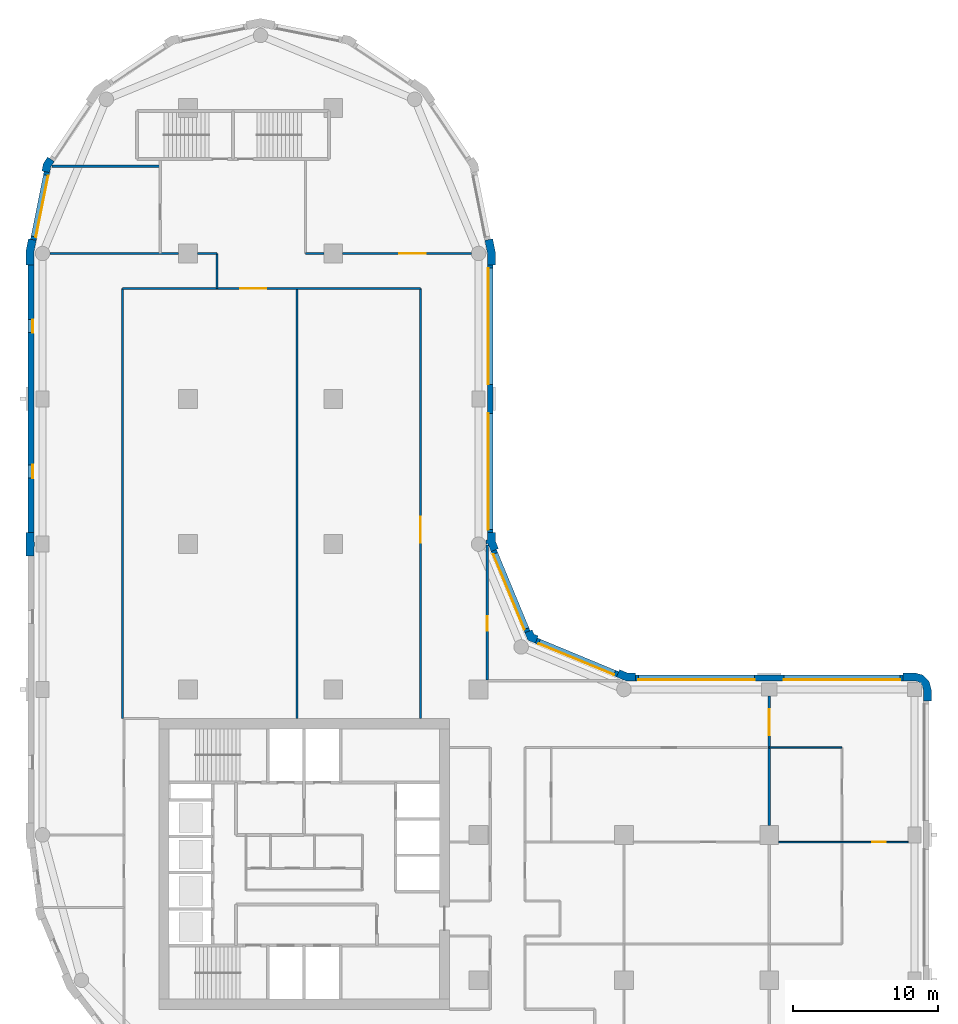
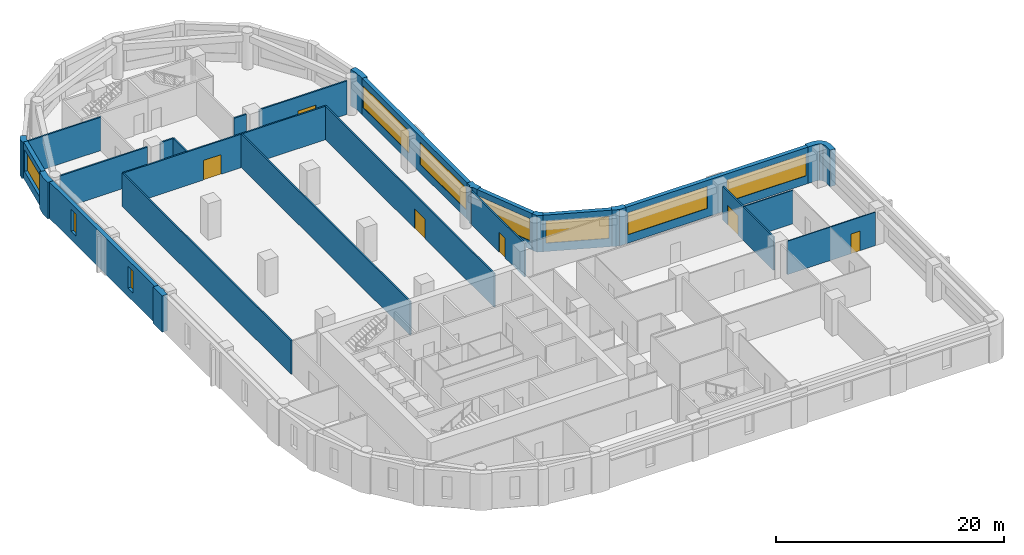
# One storey, part 5 of 9: 28 walls, 9 windows, 6 doors, 15 openings.
"""IFC4 building model written with IfcOpenShell, lengths in metres."""

from ifc_helpers import new_model, si_unit, direction, frame, frame_2d, origin, place, context, subcontext, project, spatial, polyline, rectangle, outline, extrude, material, layer, layer_set, type_object, element, fill, save


model = new_model("IFC4")

# Units and contexts
model_context = context("Model", 3, precision=1e-05, world=origin(), true_north=direction((0.0, 1.0)))
body_context = subcontext(model_context, "Body", "Model", "MODEL_VIEW")
ifc_project = project(units=[si_unit("LENGTHUNIT", "METRE"), si_unit("AREAUNIT", "SQUARE_METRE"), si_unit("VOLUMEUNIT", "CUBIC_METRE"), si_unit("PLANEANGLEUNIT", "RADIAN"), si_unit("MASSUNIT", "GRAM", prefix="KILO")], contexts=[model_context])

# Site, building, storey
site_placement = place(None, origin())
site = spatial("IfcSite", under=ifc_project, at=site_placement, CompositionType="ELEMENT")
building_placement = place(site_placement, origin())
building = spatial("IfcBuilding", under=site, at=building_placement, Name="Qaws Garden Tower", CompositionType="ELEMENT")
storey_placement = place(building_placement, frame((0.0, 0.0, 229.199951171875)))
storey = spatial("IfcBuildingStorey", under=building, at=storey_placement, Name="L56", CompositionType="ELEMENT", Elevation=229.199951171875)

# Wall
ifc_material_1 = material(Name="Clay facing brick masonry", Category="masonry")
ifc_layer_1 = layer(ifc_material_1, 0.550048828125)
ifc_layer_set_1 = layer_set([ifc_layer_1], Name="Clay facing brick masonry")
wall_type_1 = type_object("IfcWallType", Name="Brick corner pier 550 x 2400", PredefinedType="SOLIDWALL", material=ifc_layer_set_1)
placement = place(storey_placement, origin())
element("IfcWall", 1, at=placement, inside=storey, type_object=wall_type_1, Name="E-L56-pier-07", PredefinedType="SOLIDWALL", context=body_context, shape_type="SweptSolid", body=[
    extrude(outline(polyline([(61.0, 29.199951171875), (61.14990234375, 29.199951171875), (61.14990234375, 30.0), (60.995849609375, 30.574951171875), (60.574951171875, 30.995849609375), (60.0, 31.14990234375), (59.199951171875, 31.14990234375), (59.199951171875, 31.0), (59.199951171875, 30.60009765625), (60.0, 30.60009765625), (60.300048828125, 30.51953125), (60.51953125, 30.300048828125), (60.60009765625, 30.0), (60.60009765625, 29.199951171875), (61.0, 29.199951171875)])), origin(), (0.0, 0.0, 1.0), 3.900146484375),
])

# Wall, openings, windows
ifc_material_2 = material(Name="Clay facing brick masonry", Category="masonry")
ifc_layer_2 = layer(ifc_material_2, 0.39990234375)
ifc_layer_set_2 = layer_set([ifc_layer_2], Name="Clay facing brick masonry")
wall_type_2 = type_object("IfcWallType", Name="Brick infill wall 400", PredefinedType="SOLIDWALL", material=ifc_layer_set_2)
wall_2_placement = place(storey_placement, frame((59.199951171875, 30.800048828125, 0.0), z_axis=(0.0, 0.0, 1.0), x_axis=(-1.0, 0.0, 0.0)))
wall_2 = element("IfcWall", 2, at=wall_2_placement, inside=storey, type_object=wall_type_2, Name="E-L56-infill-07", PredefinedType="SOLIDWALL", context=body_context, shape_type="SweptSolid", body=[
    extrude(rectangle(XDim=18.39990234375, YDim=0.39990234375, at=frame_2d((9.199951171875, 0.0))), origin(), (0.0, 0.0, 1.0), 3.900146484375),
])
opening_1_placement = place(wall_2_placement, frame((0.199951171875, 0.0, 0.89990234375)))
opening_1 = element("IfcOpeningElement", 3, at=opening_1_placement, cuts=wall_2, Name="Opening W01", PredefinedType="OPENING", context=body_context, shape_type="SweptSolid", body=[
    extrude(rectangle(XDim=8.0, YDim=2.35009765625, at=frame_2d((4.0, 1.175048828125))), frame((0.0, 0.2099609375, 0.0), z_axis=(0.0, -1.0, 0.0), x_axis=(1.0, 0.0, 0.0)), (0.0, 0.0, 1.0), 0.419921875),
])
opening_2_placement = place(wall_2_placement, frame((10.199951171875, 0.0, 0.89990234375)))
opening_2 = element("IfcOpeningElement", 4, at=opening_2_placement, cuts=wall_2, Name="Opening W01", PredefinedType="OPENING", context=body_context, shape_type="SweptSolid", body=[
    extrude(rectangle(XDim=8.0, YDim=2.35009765625, at=frame_2d((4.0, 1.175048828125))), frame((0.0, 0.2099609375, 0.0), z_axis=(0.0, -1.0, 0.0), x_axis=(1.0, 0.0, 0.0)), (0.0, 0.0, 1.0), 0.419921875),
])
ifc_material_3 = material(Name="Aluminium framed window, clear glazing", Category="aluminium")
window_type_1 = type_object("IfcWindowType", Name="Ribbon window 8000 x 2350", PartitioningType="DOUBLE_PANEL_VERTICAL", PredefinedType="WINDOW", material=ifc_material_3)
window_1_placement = place(opening_1_placement, origin())
window_1 = element("IfcWindow", 5, at=window_1_placement, inside=storey, type_object=window_type_1, Name="E-L56-window-07-0", OverallHeight=2.35009765625, OverallWidth=8.0, PartitioningType="SINGLE_PANEL", PredefinedType="WINDOW", context=body_context, shape_type="SweptSolid", body=[
    extrude(rectangle(XDim=8.0, YDim=2.35009765625, at=frame_2d((4.0, 1.175048828125))), frame((0.0, 0.159912109375, 0.0), z_axis=(0.0, -1.0, 0.0), x_axis=(1.0, 0.0, 0.0)), (0.0, 0.0, 1.0), 0.06005859375),
])
fill(opening_1, window_1)
window_2_placement = place(opening_2_placement, origin())
window_2 = element("IfcWindow", 6, at=window_2_placement, inside=storey, type_object=window_type_1, Name="E-L56-window-08-0", OverallHeight=2.35009765625, OverallWidth=8.0, PartitioningType="SINGLE_PANEL", PredefinedType="WINDOW", context=body_context, shape_type="SweptSolid", body=[
    extrude(rectangle(XDim=8.0, YDim=2.35009765625, at=frame_2d((4.0, 1.175048828125))), frame((0.0, 0.159912109375, 0.0), z_axis=(0.0, -1.0, 0.0), x_axis=(1.0, 0.0, 0.0)), (0.0, 0.0, 1.0), 0.06005859375),
])
fill(opening_2, window_2)

# Wall, opening, window
wall_3_placement = place(storey_placement, frame((39.56689453125, 31.04541015625, 0.0), z_axis=(0.0, 0.0, 1.0), x_axis=(-0.923891000409, 0.382655745237, 0.0)))
wall_3 = element("IfcWall", 7, at=wall_3_placement, inside=storey, type_object=wall_type_2, Name="E-L56-infill-09", PredefinedType="SOLIDWALL", context=body_context, shape_type="SweptSolid", body=[
    extrude(rectangle(XDim=6.053466796875, YDim=0.39990234375, at=frame_2d((3.02685546875, 0.0))), origin(), (0.0, 0.0, 1.0), 3.900146484375),
])
opening_3_placement = place(wall_3_placement, frame((0.226806640625, 0.0, 0.89990234375)))
opening_3 = element("IfcOpeningElement", 8, at=opening_3_placement, cuts=wall_3, Name="Opening W04", PredefinedType="OPENING", context=body_context, shape_type="SweptSolid", body=[
    extrude(rectangle(XDim=5.60009765625, YDim=2.35009765625, at=frame_2d((2.800048828125, 1.175048828125))), frame((0.0, 0.2099609375, 0.0), z_axis=(0.0, -1.0, 0.0), x_axis=(1.0, 0.0, 0.0)), (0.0, 0.0, 1.0), 0.419921875),
])
ifc_material_4 = material(Name="Aluminium framed window, clear glazing", Category="aluminium")
window_type_2 = type_object("IfcWindowType", Name="Ribbon window 5600 x 2350", PartitioningType="DOUBLE_PANEL_VERTICAL", PredefinedType="WINDOW", material=ifc_material_4)
window_3_placement = place(opening_3_placement, origin())
window_3 = element("IfcWindow", 9, at=window_3_placement, inside=storey, type_object=window_type_2, Name="E-L56-window-09-0", OverallHeight=2.35009765625, OverallWidth=5.60009765625, PartitioningType="SINGLE_PANEL", PredefinedType="WINDOW", context=body_context, shape_type="SweptSolid", body=[
    extrude(rectangle(XDim=5.60009765625, YDim=2.35009765625, at=frame_2d((2.800048828125, 1.175048828125))), frame((0.0, 0.159912109375, 0.0), z_axis=(0.0, -1.0, 0.0), x_axis=(1.0, 0.0, 0.0)), (0.0, 0.0, 1.0), 0.06005859375),
])
fill(opening_3, window_3)

wall_4_placement = place(storey_placement, frame((33.36181640625, 33.97412109375, 0.0), z_axis=(0.0, 0.0, 1.0), x_axis=(-0.382655745237, 0.923891000409, 0.0)))
wall_4 = element("IfcWall", 10, at=wall_4_placement, inside=storey, type_object=wall_type_2, Name="E-L56-infill-10", PredefinedType="SOLIDWALL", context=body_context, shape_type="SweptSolid", body=[
    extrude(rectangle(XDim=6.053466796875, YDim=0.39990234375, at=frame_2d((3.02685546875, 0.0))), origin(), (0.0, 0.0, 1.0), 3.900146484375),
])
opening_4_placement = place(wall_4_placement, frame((0.226806640625, 0.0, 0.89990234375)))
opening_4 = element("IfcOpeningElement", 11, at=opening_4_placement, cuts=wall_4, Name="Opening W04", PredefinedType="OPENING", context=body_context, shape_type="SweptSolid", body=[
    extrude(rectangle(XDim=5.60009765625, YDim=2.35009765625, at=frame_2d((2.800048828125, 1.175048828125))), frame((0.0, 0.2099609375, 0.0), z_axis=(0.0, -1.0, 0.0), x_axis=(1.0, 0.0, 0.0)), (0.0, 0.0, 1.0), 0.419921875),
])
window_4_placement = place(opening_4_placement, origin())
window_4 = element("IfcWindow", 12, at=window_4_placement, inside=storey, type_object=window_type_2, Name="E-L56-window-10-0", OverallHeight=2.35009765625, OverallWidth=5.60009765625, PartitioningType="SINGLE_PANEL", PredefinedType="WINDOW", context=body_context, shape_type="SweptSolid", body=[
    extrude(rectangle(XDim=5.60009765625, YDim=2.35009765625, at=frame_2d((2.800048828125, 1.175048828125))), frame((0.0, 0.159912109375, 0.0), z_axis=(0.0, -1.0, 0.0), x_axis=(1.0, 0.0, 0.0)), (0.0, 0.0, 1.0), 0.06005859375),
])
fill(opening_4, window_4)

# Wall, openings, windows
wall_5_placement = place(storey_placement, frame((30.800048828125, 40.800048828125, 0.0), z_axis=(0.0, 0.0, 1.0), x_axis=(0.0, 1.0, 0.0)))
wall_5 = element("IfcWall", 13, at=wall_5_placement, inside=storey, type_object=wall_type_2, Name="E-L56-infill-11", PredefinedType="SOLIDWALL", context=body_context, shape_type="SweptSolid", body=[
    extrude(rectangle(XDim=18.39990234375, YDim=0.39990234375, at=frame_2d((9.199951171875, 0.0))), origin(), (0.0, 0.0, 1.0), 3.900146484375),
])
opening_5_placement = place(wall_5_placement, frame((0.199951171875, 0.0, 0.89990234375)))
opening_5 = element("IfcOpeningElement", 14, at=opening_5_placement, cuts=wall_5, Name="Opening W01", PredefinedType="OPENING", context=body_context, shape_type="SweptSolid", body=[
    extrude(rectangle(XDim=8.0, YDim=2.35009765625, at=frame_2d((4.0, 1.175048828125))), frame((0.0, 0.2099609375, 0.0), z_axis=(0.0, -1.0, 0.0), x_axis=(1.0, 0.0, 0.0)), (0.0, 0.0, 1.0), 0.419921875),
])
opening_6_placement = place(wall_5_placement, frame((10.199951171875, 0.0, 0.89990234375)))
opening_6 = element("IfcOpeningElement", 15, at=opening_6_placement, cuts=wall_5, Name="Opening W01", PredefinedType="OPENING", context=body_context, shape_type="SweptSolid", body=[
    extrude(rectangle(XDim=8.0, YDim=2.35009765625, at=frame_2d((4.0, 1.175048828125))), frame((0.0, 0.2099609375, 0.0), z_axis=(0.0, -1.0, 0.0), x_axis=(1.0, 0.0, 0.0)), (0.0, 0.0, 1.0), 0.419921875),
])
window_5_placement = place(opening_5_placement, origin())
window_5 = element("IfcWindow", 16, at=window_5_placement, inside=storey, type_object=window_type_1, Name="E-L56-window-11-0", OverallHeight=2.35009765625, OverallWidth=8.0, PartitioningType="SINGLE_PANEL", PredefinedType="WINDOW", context=body_context, shape_type="SweptSolid", body=[
    extrude(rectangle(XDim=8.0, YDim=2.35009765625, at=frame_2d((4.0, 1.175048828125))), frame((0.0, 0.159912109375, 0.0), z_axis=(0.0, -1.0, 0.0), x_axis=(1.0, 0.0, 0.0)), (0.0, 0.0, 1.0), 0.06005859375),
])
fill(opening_5, window_5)
window_6_placement = place(opening_6_placement, origin())
window_6 = element("IfcWindow", 17, at=window_6_placement, inside=storey, type_object=window_type_1, Name="E-L56-window-12-0", OverallHeight=2.35009765625, OverallWidth=8.0, PartitioningType="SINGLE_PANEL", PredefinedType="WINDOW", context=body_context, shape_type="SweptSolid", body=[
    extrude(rectangle(XDim=8.0, YDim=2.35009765625, at=frame_2d((4.0, 1.175048828125))), frame((0.0, 0.159912109375, 0.0), z_axis=(0.0, -1.0, 0.0), x_axis=(1.0, 0.0, 0.0)), (0.0, 0.0, 1.0), 0.06005859375),
])
fill(opening_6, window_6)

# Wall, opening, window
wall_6_placement = place(storey_placement, frame((0.298583984375, 65.60205078125, 0.0), z_axis=(0.0, 0.0, 1.0), x_axis=(-0.195098533057, -0.98078364709, 0.0)))
wall_6 = element("IfcWall", 18, at=wall_6_placement, inside=storey, type_object=wall_type_2, Name="E-L56-infill-20", PredefinedType="SOLIDWALL", context=body_context, shape_type="SweptSolid", body=[
    extrude(rectangle(XDim=4.752685546875, YDim=0.39990234375, at=frame_2d((2.37646484375, 0.0))), origin(), (0.0, 0.0, 1.0), 3.900146484375),
])
opening_7_placement = place(wall_6_placement, frame((0.226318359375, 0.0, 0.89990234375)))
opening_7 = element("IfcOpeningElement", 19, at=opening_7_placement, cuts=wall_6, Name="Opening W06", PredefinedType="OPENING", context=body_context, shape_type="SweptSolid", body=[
    extrude(rectangle(XDim=4.300048828125, YDim=2.35009765625, at=frame_2d((2.14990234375, 1.175048828125))), frame((0.0, 0.2099609375, 0.0), z_axis=(0.0, -1.0, 0.0), x_axis=(1.0, 0.0, 0.0)), (0.0, 0.0, 1.0), 0.419921875),
])
ifc_material_5 = material(Name="Aluminium framed window, clear glazing", Category="aluminium")
window_type_3 = type_object("IfcWindowType", Name="Ribbon window 4300 x 2350", PartitioningType="DOUBLE_PANEL_VERTICAL", PredefinedType="WINDOW", material=ifc_material_5)
window_7_placement = place(opening_7_placement, origin())
window_7 = element("IfcWindow", 20, at=window_7_placement, inside=storey, type_object=window_type_3, Name="E-L56-window-20-0", OverallHeight=2.35009765625, OverallWidth=4.300048828125, PartitioningType="SINGLE_PANEL", PredefinedType="WINDOW", context=body_context, shape_type="SweptSolid", body=[
    extrude(rectangle(XDim=4.300048828125, YDim=2.35009765625, at=frame_2d((2.14990234375, 1.175048828125))), frame((0.0, 0.159912109375, 0.0), z_axis=(0.0, -1.0, 0.0), x_axis=(1.0, 0.0, 0.0)), (0.0, 0.0, 1.0), 0.06005859375),
])
fill(opening_7, window_7)

# Wall, openings, windows
wall_7_placement = place(storey_placement, frame((-0.800048828125, 59.199951171875, 0.0), z_axis=(0.0, 0.0, 1.0), x_axis=(0.0, -1.0, 0.0)))
wall_7 = element("IfcWall", 21, at=wall_7_placement, inside=storey, type_object=wall_type_2, Name="E-L56-infill-21", PredefinedType="SOLIDWALL", context=body_context, shape_type="SweptSolid", body=[
    extrude(rectangle(XDim=18.39990234375, YDim=0.39990234375, at=frame_2d((9.199951171875, 0.0))), origin(), (0.0, 0.0, 1.0), 3.900146484375),
])
opening_8_placement = place(wall_7_placement, frame((3.75, 0.0, 0.89990234375)))
opening_8 = element("IfcOpeningElement", 22, at=opening_8_placement, cuts=wall_7, Name="Opening W09", PredefinedType="OPENING", context=body_context, shape_type="SweptSolid", body=[
    extrude(rectangle(XDim=0.89990234375, YDim=2.35009765625, at=frame_2d((0.449951171875, 1.175048828125))), frame((0.0, 0.2099609375, 0.0), z_axis=(0.0, -1.0, 0.0), x_axis=(1.0, 0.0, 0.0)), (0.0, 0.0, 1.0), 0.419921875),
])
opening_9_placement = place(wall_7_placement, frame((13.75, 0.0, 0.89990234375)))
opening_9 = element("IfcOpeningElement", 23, at=opening_9_placement, cuts=wall_7, Name="Opening W09", PredefinedType="OPENING", context=body_context, shape_type="SweptSolid", body=[
    extrude(rectangle(XDim=0.89990234375, YDim=2.35009765625, at=frame_2d((0.449951171875, 1.175048828125))), frame((0.0, 0.2099609375, 0.0), z_axis=(0.0, -1.0, 0.0), x_axis=(1.0, 0.0, 0.0)), (0.0, 0.0, 1.0), 0.419921875),
])
ifc_material_6 = material(Name="Aluminium framed window, clear glazing", Category="aluminium")
window_type_4 = type_object("IfcWindowType", Name="Slit window 900 x 2350", PartitioningType="SINGLE_PANEL", PredefinedType="WINDOW", material=ifc_material_6)
window_8_placement = place(opening_8_placement, origin())
window_8 = element("IfcWindow", 24, at=window_8_placement, inside=storey, type_object=window_type_4, Name="E-L56-window-21-0", OverallHeight=2.35009765625, OverallWidth=0.89990234375, PartitioningType="SINGLE_PANEL", PredefinedType="WINDOW", context=body_context, shape_type="SweptSolid", body=[
    extrude(rectangle(XDim=0.89990234375, YDim=2.35009765625, at=frame_2d((0.449951171875, 1.175048828125))), frame((0.0, 0.159912109375, 0.0), z_axis=(0.0, -1.0, 0.0), x_axis=(1.0, 0.0, 0.0)), (0.0, 0.0, 1.0), 0.06005859375),
])
fill(opening_8, window_8)
window_9_placement = place(opening_9_placement, origin())
window_9 = element("IfcWindow", 25, at=window_9_placement, inside=storey, type_object=window_type_4, Name="E-L56-window-22-0", OverallHeight=2.35009765625, OverallWidth=0.89990234375, PartitioningType="SINGLE_PANEL", PredefinedType="WINDOW", context=body_context, shape_type="SweptSolid", body=[
    extrude(rectangle(XDim=0.89990234375, YDim=2.35009765625, at=frame_2d((0.449951171875, 1.175048828125))), frame((0.0, 0.159912109375, 0.0), z_axis=(0.0, -1.0, 0.0), x_axis=(1.0, 0.0, 0.0)), (0.0, 0.0, 1.0), 0.06005859375),
])
fill(opening_9, window_9)

# Walls
ifc_material_7 = material(Name="Clay facing brick masonry", Category="masonry")
ifc_layer_3 = layer(ifc_material_7, 0.550048828125)
ifc_layer_set_3 = layer_set([ifc_layer_3], Name="Clay facing brick masonry")
wall_type_3 = type_object("IfcWallType", Name="Brick kink pier 550 x 600", PredefinedType="SOLIDWALL", material=ifc_layer_set_3)
element("IfcWall", 26, at=placement, inside=storey, type_object=wall_type_3, Name="E-L56-pier-20", PredefinedType="SOLIDWALL", context=body_context, shape_type="SweptSolid", body=[
    extrude(outline(polyline([(0.47705078125, 66.545166015625), (0.352294921875, 66.628662109375), (0.05859375, 66.18896484375), (-0.044677734375, 65.67041015625), (0.1025390625, 65.64111328125), (0.494873046875, 65.56298828125), (0.57666015625, 65.974365234375), (0.8095703125, 66.322998046875), (0.47705078125, 66.545166015625)])), origin(), (0.0, 0.0, 1.0), 3.900146484375),
])
ifc_material_8 = material(Name="Clay facing brick masonry", Category="masonry")
ifc_layer_4 = layer(ifc_material_8, 0.550048828125)
ifc_layer_set_4 = layer_set([ifc_layer_4], Name="Clay facing brick masonry")
wall_type_4 = type_object("IfcWallType", Name="Brick pier 550 x 1600", PredefinedType="SOLIDWALL", material=ifc_layer_set_4)
element("IfcWall", 27, at=placement, inside=storey, type_object=wall_type_4, Name="E-L56-pier-09", PredefinedType="SOLIDWALL", context=body_context, shape_type="SweptSolid", body=[
    extrude(outline(polyline([(40.800048828125, 31.0), (40.800048828125, 31.14990234375), (40.228759765625, 31.14990234375), (39.700927734375, 31.36865234375), (39.6435546875, 31.22998046875), (39.490478515625, 30.860595703125), (40.119384765625, 30.60009765625), (40.800048828125, 30.60009765625), (40.800048828125, 31.0)])), origin(), (0.0, 0.0, 1.0), 3.900146484375),
])
element("IfcWall", 28, at=placement, inside=storey, type_object=wall_type_4, Name="E-L56-pier-10", PredefinedType="SOLIDWALL", context=body_context, shape_type="SweptSolid", body=[
    extrude(outline(polyline([(34.05078125, 33.546630859375), (34.108154296875, 33.685302734375), (33.80908203125, 33.80908203125), (33.685302734375, 34.108154296875), (33.546630859375, 34.05078125), (33.177001953125, 33.897705078125), (33.38818359375, 33.38818359375), (33.897705078125, 33.177001953125), (34.05078125, 33.546630859375)])), origin(), (0.0, 0.0, 1.0), 3.900146484375),
])
element("IfcWall", 29, at=placement, inside=storey, type_object=wall_type_4, Name="E-L56-pier-11", PredefinedType="SOLIDWALL", context=body_context, shape_type="SweptSolid", body=[
    extrude(outline(polyline([(30.6201171875, 39.995361328125), (30.6201171875, 40.071044921875), (30.860595703125, 39.490478515625), (31.22998046875, 39.6435546875), (31.36865234375, 39.700927734375), (31.14990234375, 40.228759765625), (31.14990234375, 40.800048828125), (31.0, 40.800048828125), (30.60009765625, 40.800048828125), (30.60009765625, 40.29541015625), (30.5, 40.29541015625), (30.5, 39.995361328125), (30.6201171875, 39.995361328125)])), origin(), (0.0, 0.0, 1.0), 3.900146484375),
])
element("IfcWall", 30, at=placement, inside=storey, type_object=wall_type_4, Name="E-L56-pier-13", PredefinedType="SOLIDWALL", context=body_context, shape_type="SweptSolid", body=[
    extrude(outline(polyline([(31.0, 59.199951171875), (31.14990234375, 59.199951171875), (31.14990234375, 60.11328125), (30.971923828125, 61.009033203125), (30.82470703125, 60.979736328125), (30.432373046875, 60.901611328125), (30.60009765625, 60.05908203125), (30.60009765625, 59.199951171875), (31.0, 59.199951171875)])), origin(), (0.0, 0.0, 1.0), 3.900146484375),
])
element("IfcWall", 31, at=placement, inside=storey, type_object=wall_type_4, Name="E-L56-pier-21", PredefinedType="SOLIDWALL", context=body_context, shape_type="SweptSolid", body=[
    extrude(outline(polyline([(-0.82470703125, 60.979736328125), (-0.971923828125, 61.009033203125), (-1.14990234375, 60.11328125), (-1.14990234375, 59.199951171875), (-1.0, 59.199951171875), (-0.60009765625, 59.199951171875), (-0.60009765625, 60.05908203125), (-0.432373046875, 60.901611328125), (-0.82470703125, 60.979736328125)])), origin(), (0.0, 0.0, 1.0), 3.900146484375),
])
element("IfcWall", 32, at=placement, inside=storey, type_object=wall_type_4, Name="E-L56-pier-23", PredefinedType="SOLIDWALL", context=body_context, shape_type="SweptSolid", body=[
    extrude(outline(polyline([(-0.60009765625, 39.199951171875), (-0.60009765625, 39.85009765625), (-0.550048828125, 39.85009765625), (-0.550048828125, 40.14990234375), (-0.60009765625, 40.14990234375), (-0.60009765625, 40.800048828125), (-1.0, 40.800048828125), (-1.14990234375, 40.800048828125), (-1.14990234375, 40.0), (-1.14990234375, 39.199951171875), (-1.0, 39.199951171875), (-0.60009765625, 39.199951171875)])), origin(), (0.0, 0.0, 1.0), 3.900146484375),
])

# Wall, opening, door
ifc_material_9 = material(Name="Gypsum board partition")
ifc_layer_5 = layer(ifc_material_9, 0.10009765625)
ifc_layer_set_5 = layer_set([ifc_layer_5], Name="Gypsum board partition")
wall_type_5 = type_object("IfcWallType", Name="PARTITION 100", PredefinedType="PARTITIONING", material=ifc_layer_set_5)
wall_15_placement = place(storey_placement, frame((50.64990234375, 19.5, 0.0), z_axis=(0.0, 0.0, 1.0), x_axis=(1.0, 0.0, 0.0)))
wall_15 = element("IfcWall", 33, at=wall_15_placement, inside=storey, type_object=wall_type_5, Name="O-L56-wall-007", PredefinedType="PARTITIONING", context=body_context, shape_type="SweptSolid", body=[
    extrude(rectangle(XDim=8.900146484375, YDim=0.10009765625, at=frame_2d((4.4501953125, 0.0))), origin(), (0.0, 0.0, 1.0), 3.580078125),
])
opening_10_placement = place(wall_15_placement, frame((6.449951171875, 0.0, 0.0)))
opening_10 = element("IfcOpeningElement", 34, at=opening_10_placement, cuts=wall_15, Name="Opening B920", PredefinedType="OPENING", context=body_context, shape_type="SweptSolid", body=[
    extrude(rectangle(XDim=0.89990234375, YDim=2.10009765625, at=frame_2d((0.449951171875, 1.050048828125))), frame((0.0, 0.06005859375, 0.0), z_axis=(0.0, -1.0, 0.0), x_axis=(1.0, 0.0, 0.0)), (0.0, 0.0, 1.0), 0.1201171875),
])
ifc_material_10 = material(Name="Timber door leaf", Category="wood")
door_type_1 = type_object("IfcDoorType", Name="OFFICE DOOR 900 X 2100", OperationType="SINGLE_SWING_LEFT", PredefinedType="DOOR", material=ifc_material_10)
door_1_placement = place(opening_10_placement, origin())
door_1 = element("IfcDoor", 35, at=door_1_placement, inside=storey, type_object=door_type_1, Name="O-L56-door-020", OperationType="SINGLE_SWING_LEFT", OverallHeight=2.10009765625, OverallWidth=0.89990234375, PredefinedType="DOOR", context=body_context, shape_type="SweptSolid", body=[
    extrude(rectangle(XDim=0.89990234375, YDim=2.10009765625, at=frame_2d((0.449951171875, 1.050048828125))), frame((0.0, 0.02490234375, 0.0), z_axis=(0.0, -1.0, 0.0), x_axis=(1.0, 0.0, 0.0)), (0.0, 0.0, 1.0), 0.050048828125),
])
fill(opening_10, door_1)

# Walls
wall_16_placement = place(storey_placement, frame((50.0, 26.0, 0.0), z_axis=(0.0, 0.0, 1.0), x_axis=(1.0, 0.0, 0.0)))
element("IfcWall", 36, at=wall_16_placement, inside=storey, type_object=wall_type_5, Name="O-L56-wall-008", PredefinedType="PARTITIONING", context=body_context, shape_type="SweptSolid", body=[
    extrude(rectangle(XDim=5.0, YDim=0.10009765625, at=frame_2d((2.5, 0.0))), origin(), (0.0, 0.0, 1.0), 3.580078125),
])
ifc_material_11 = material(Name="Gypsum board partition")
ifc_layer_6 = layer(ifc_material_11, 0.14990234375)
ifc_layer_set_6 = layer_set([ifc_layer_6], Name="Gypsum board partition")
wall_type_6 = type_object("IfcWallType", Name="PARTITION 150 EI 60", PredefinedType="PARTITIONING", material=ifc_layer_set_6)
wall_17_placement = place(storey_placement, frame((5.5, 28.0, 0.0), z_axis=(0.0, 0.0, 1.0), x_axis=(0.0, 1.0, 0.0)))
element("IfcWall", 37, at=wall_17_placement, inside=storey, type_object=wall_type_6, Name="O-L56-wall-009", PredefinedType="PARTITIONING", context=body_context, shape_type="SweptSolid", body=[
    extrude(rectangle(XDim=29.60009765625, YDim=0.14990234375, at=frame_2d((14.800048828125, 0.0))), origin(), (0.0, 0.0, 1.0), 3.580078125),
])
wall_18_placement = place(storey_placement, frame((12.0, 57.60009765625, 0.0), z_axis=(0.0, 0.0, 1.0), x_axis=(0.0, 1.0, 0.0)))
element("IfcWall", 38, at=wall_18_placement, inside=storey, type_object=wall_type_6, Name="O-L56-wall-012", PredefinedType="PARTITIONING", context=body_context, shape_type="SweptSolid", body=[
    extrude(rectangle(XDim=2.39990234375, YDim=0.14990234375, at=frame_2d((1.199951171875, 0.0))), origin(), (0.0, 0.0, 1.0), 3.580078125),
])
wall_19_placement = place(storey_placement, frame((17.5, 28.0, 0.0), z_axis=(0.0, 0.0, 1.0), x_axis=(0.0, 1.0, 0.0)))
element("IfcWall", 39, at=wall_19_placement, inside=storey, type_object=wall_type_6, Name="O-L56-wall-014", PredefinedType="PARTITIONING", context=body_context, shape_type="SweptSolid", body=[
    extrude(rectangle(XDim=29.60009765625, YDim=0.14990234375, at=frame_2d((14.800048828125, 0.0))), origin(), (0.0, 0.0, 1.0), 3.580078125),
])

# Wall, opening, door
wall_20_placement = place(storey_placement, frame((26.0, 28.0, 0.0), z_axis=(0.0, 0.0, 1.0), x_axis=(0.0, 1.0, 0.0)))
wall_20 = element("IfcWall", 40, at=wall_20_placement, inside=storey, type_object=wall_type_6, Name="O-L56-wall-017", PredefinedType="PARTITIONING", context=body_context, shape_type="SweptSolid", body=[
    extrude(rectangle(XDim=29.60009765625, YDim=0.14990234375, at=frame_2d((14.800048828125, 0.0))), origin(), (0.0, 0.0, 1.0), 3.580078125),
])
opening_11_placement = place(wall_20_placement, frame((12.10009765625, 0.0, 0.0)))
opening_11 = element("IfcOpeningElement", 41, at=opening_11_placement, cuts=wall_20, Name="Opening B905", PredefinedType="OPENING", context=body_context, shape_type="SweptSolid", body=[
    extrude(rectangle(XDim=1.800048828125, YDim=2.10009765625, at=frame_2d((0.89990234375, 1.050048828125))), frame((0.0, 0.0849609375, 0.0), z_axis=(0.0, -1.0, 0.0), x_axis=(1.0, 0.0, 0.0)), (0.0, 0.0, 1.0), 0.169921875),
])
ifc_material_12 = material(Name="Timber door leaf", Category="wood")
door_type_2 = type_object("IfcDoorType", Name="DOUBLE DOOR 1800 X 2100", OperationType="DOUBLE_DOOR_SINGLE_SWING", PredefinedType="DOOR", material=ifc_material_12)
door_2_placement = place(opening_11_placement, origin())
door_2 = element("IfcDoor", 42, at=door_2_placement, inside=storey, type_object=door_type_2, Name="O-L56-door-005", OperationType="DOUBLE_DOOR_SINGLE_SWING", OverallHeight=2.10009765625, OverallWidth=1.800048828125, PredefinedType="DOOR", context=body_context, shape_type="SweptSolid", body=[
    extrude(rectangle(XDim=1.800048828125, YDim=2.10009765625, at=frame_2d((0.89990234375, 1.050048828125))), frame((0.0, 0.02490234375, 0.0), z_axis=(0.0, -1.0, 0.0), x_axis=(1.0, 0.0, 0.0)), (0.0, 0.0, 1.0), 0.050048828125),
])
fill(opening_11, door_2)

wall_21_placement = place(storey_placement, frame((30.60009765625, 30.64990234375, 0.0), z_axis=(0.0, 0.0, 1.0), x_axis=(0.0, 1.0, 0.0)))
wall_21 = element("IfcWall", 43, at=wall_21_placement, inside=storey, type_object=wall_type_6, Name="O-L56-wall-018", PredefinedType="PARTITIONING", context=body_context, shape_type="SweptSolid", body=[
    extrude(rectangle(XDim=9.288330078125, YDim=0.14990234375, at=frame_2d((4.64404296875, 0.0))), origin(), (0.0, 0.0, 1.0), 3.580078125),
])
opening_12_placement = place(wall_21_placement, frame((3.39990234375, 0.0, 0.0)))
opening_12 = element("IfcOpeningElement", 44, at=opening_12_placement, cuts=wall_21, Name="Opening B912", PredefinedType="OPENING", context=body_context, shape_type="SweptSolid", body=[
    extrude(rectangle(XDim=1.0, YDim=2.10009765625, at=frame_2d((0.5, 1.050048828125))), frame((0.0, 0.0849609375, 0.0), z_axis=(0.0, -1.0, 0.0), x_axis=(1.0, 0.0, 0.0)), (0.0, 0.0, 1.0), 0.169921875),
])
ifc_material_13 = material(Name="Timber door leaf", Category="wood")
door_type_3 = type_object("IfcDoorType", Name="TENANCY ENTRANCE DOOR 1000 X 2100", OperationType="SINGLE_SWING_LEFT", PredefinedType="DOOR", material=ifc_material_13)
door_3_placement = place(opening_12_placement, frame((1.0, 0.0, 0.0), z_axis=(0.0, 0.0, 1.0), x_axis=(-1.0, 0.0, 0.0)))
door_3 = element("IfcDoor", 45, at=door_3_placement, inside=storey, type_object=door_type_3, Name="O-L56-door-012", OperationType="SINGLE_SWING_LEFT", OverallHeight=2.10009765625, OverallWidth=1.0, PredefinedType="DOOR", context=body_context, shape_type="SweptSolid", body=[
    extrude(rectangle(XDim=1.0, YDim=2.10009765625, at=frame_2d((0.5, 1.050048828125))), frame((0.0, 0.02490234375, 0.0), z_axis=(0.0, -1.0, 0.0), x_axis=(1.0, 0.0, 0.0)), (0.0, 0.0, 1.0), 0.050048828125),
])
fill(opening_12, door_3)

wall_22_placement = place(storey_placement, frame((50.0, 20.64990234375, 0.0), z_axis=(0.0, 0.0, 1.0), x_axis=(0.0, 1.0, 0.0)))
wall_22 = element("IfcWall", 46, at=wall_22_placement, inside=storey, type_object=wall_type_6, Name="O-L56-wall-029", PredefinedType="PARTITIONING", context=body_context, shape_type="SweptSolid", body=[
    extrude(rectangle(XDim=8.900146484375, YDim=0.14990234375, at=frame_2d((4.4501953125, 0.0))), origin(), (0.0, 0.0, 1.0), 3.580078125),
])
opening_13_placement = place(wall_22_placement, frame((6.199951171875, 0.0, 0.0)))
opening_13 = element("IfcOpeningElement", 47, at=opening_13_placement, cuts=wall_22, Name="Opening B911", PredefinedType="OPENING", context=body_context, shape_type="SweptSolid", body=[
    extrude(rectangle(XDim=1.800048828125, YDim=2.10009765625, at=frame_2d((0.89990234375, 1.050048828125))), frame((0.0, 0.0849609375, 0.0), z_axis=(0.0, -1.0, 0.0), x_axis=(1.0, 0.0, 0.0)), (0.0, 0.0, 1.0), 0.169921875),
])
door_4_placement = place(opening_13_placement, frame((1.800048828125, 0.0, 0.0), z_axis=(0.0, 0.0, 1.0), x_axis=(-1.0, 0.0, 0.0)))
door_4 = element("IfcDoor", 48, at=door_4_placement, inside=storey, type_object=door_type_2, Name="O-L56-door-011", OperationType="DOUBLE_DOOR_SINGLE_SWING", OverallHeight=2.10009765625, OverallWidth=1.800048828125, PredefinedType="DOOR", context=body_context, shape_type="SweptSolid", body=[
    extrude(rectangle(XDim=1.800048828125, YDim=2.10009765625, at=frame_2d((0.89990234375, 1.050048828125))), frame((0.0, 0.02490234375, 0.0), z_axis=(0.0, -1.0, 0.0), x_axis=(1.0, 0.0, 0.0)), (0.0, 0.0, 1.0), 0.050048828125),
])
fill(opening_13, door_4)

wall_23_placement = place(storey_placement, frame((5.5, 57.60009765625, 0.0), z_axis=(0.0, 0.0, 1.0), x_axis=(1.0, 0.0, 0.0)))
wall_23 = element("IfcWall", 49, at=wall_23_placement, inside=storey, type_object=wall_type_6, Name="O-L56-wall-046", PredefinedType="PARTITIONING", context=body_context, shape_type="SweptSolid", body=[
    extrude(rectangle(XDim=20.5, YDim=0.14990234375, at=frame_2d((10.25, 0.0))), origin(), (0.0, 0.0, 1.0), 3.580078125),
])
opening_14_placement = place(wall_23_placement, frame((8.10009765625, 0.0, 0.0)))
opening_14 = element("IfcOpeningElement", 50, at=opening_14_placement, cuts=wall_23, Name="Opening B906", PredefinedType="OPENING", context=body_context, shape_type="SweptSolid", body=[
    extrude(rectangle(XDim=1.800048828125, YDim=2.10009765625, at=frame_2d((0.89990234375, 1.050048828125))), frame((0.0, 0.0849609375, 0.0), z_axis=(0.0, -1.0, 0.0), x_axis=(1.0, 0.0, 0.0)), (0.0, 0.0, 1.0), 0.169921875),
])
door_5_placement = place(opening_14_placement, frame((1.800048828125, 0.0, 0.0), z_axis=(0.0, 0.0, 1.0), x_axis=(-1.0, 0.0, 0.0)))
door_5 = element("IfcDoor", 51, at=door_5_placement, inside=storey, type_object=door_type_2, Name="O-L56-door-006", OperationType="DOUBLE_DOOR_SINGLE_SWING", OverallHeight=2.10009765625, OverallWidth=1.800048828125, PredefinedType="DOOR", context=body_context, shape_type="SweptSolid", body=[
    extrude(rectangle(XDim=1.800048828125, YDim=2.10009765625, at=frame_2d((0.89990234375, 1.050048828125))), frame((0.0, 0.02490234375, 0.0), z_axis=(0.0, -1.0, 0.0), x_axis=(1.0, 0.0, 0.0)), (0.0, 0.0, 1.0), 0.050048828125),
])
fill(opening_14, door_5)

# Walls
wall_24_placement = place(storey_placement, frame((0.5, 60.0, 0.0), z_axis=(0.0, 0.0, 1.0), x_axis=(1.0, 0.0, 0.0)))
element("IfcWall", 52, at=wall_24_placement, inside=storey, type_object=wall_type_6, Name="O-L56-wall-047", PredefinedType="PARTITIONING", context=body_context, shape_type="SweptSolid", body=[
    extrude(rectangle(XDim=8.85009765625, YDim=0.14990234375, at=frame_2d((4.425048828125, 0.0))), origin(), (0.0, 0.0, 1.0), 3.580078125),
])
wall_25_placement = place(storey_placement, frame((10.64990234375, 60.0, 0.0), z_axis=(0.0, 0.0, 1.0), x_axis=(1.0, 0.0, 0.0)))
element("IfcWall", 53, at=wall_25_placement, inside=storey, type_object=wall_type_6, Name="O-L56-wall-048", PredefinedType="PARTITIONING", context=body_context, shape_type="SweptSolid", body=[
    extrude(rectangle(XDim=1.35009765625, YDim=0.14990234375, at=frame_2d((0.675048828125, 0.0))), origin(), (0.0, 0.0, 1.0), 3.580078125),
])
wall_26_placement = place(storey_placement, frame((18.10009765625, 60.0, 0.0), z_axis=(0.0, 0.0, 1.0), x_axis=(1.0, 0.0, 0.0)))
element("IfcWall", 54, at=wall_26_placement, inside=storey, type_object=wall_type_6, Name="O-L56-wall-049", PredefinedType="PARTITIONING", context=body_context, shape_type="SweptSolid", body=[
    extrude(rectangle(XDim=1.25, YDim=0.14990234375, at=frame_2d((0.625, 0.0))), origin(), (0.0, 0.0, 1.0), 3.580078125),
])

# Wall, opening, door
wall_27_placement = place(storey_placement, frame((20.64990234375, 60.0, 0.0), z_axis=(0.0, 0.0, 1.0), x_axis=(1.0, 0.0, 0.0)))
wall_27 = element("IfcWall", 55, at=wall_27_placement, inside=storey, type_object=wall_type_6, Name="O-L56-wall-050", PredefinedType="PARTITIONING", context=body_context, shape_type="SweptSolid", body=[
    extrude(rectangle(XDim=8.85009765625, YDim=0.14990234375, at=frame_2d((4.425048828125, 0.0))), origin(), (0.0, 0.0, 1.0), 3.580078125),
])
opening_15_placement = place(wall_27_placement, frame((3.89990234375, 0.0, 0.0)))
opening_15 = element("IfcOpeningElement", 56, at=opening_15_placement, cuts=wall_27, Name="Opening B910", PredefinedType="OPENING", context=body_context, shape_type="SweptSolid", body=[
    extrude(rectangle(XDim=1.800048828125, YDim=2.10009765625, at=frame_2d((0.89990234375, 1.050048828125))), frame((0.0, 0.0849609375, 0.0), z_axis=(0.0, -1.0, 0.0), x_axis=(1.0, 0.0, 0.0)), (0.0, 0.0, 1.0), 0.169921875),
])
door_6_placement = place(opening_15_placement, origin())
door_6 = element("IfcDoor", 57, at=door_6_placement, inside=storey, type_object=door_type_2, Name="O-L56-door-010", OperationType="DOUBLE_DOOR_SINGLE_SWING", OverallHeight=2.10009765625, OverallWidth=1.800048828125, PredefinedType="DOOR", context=body_context, shape_type="SweptSolid", body=[
    extrude(rectangle(XDim=1.800048828125, YDim=2.10009765625, at=frame_2d((0.89990234375, 1.050048828125))), frame((0.0, 0.02490234375, 0.0), z_axis=(0.0, -1.0, 0.0), x_axis=(1.0, 0.0, 0.0)), (0.0, 0.0, 1.0), 0.050048828125),
])
fill(opening_15, door_6)

# Wall
wall_28_placement = place(storey_placement, frame((0.643798828125, 66.0, 0.0), z_axis=(0.0, 0.0, 1.0), x_axis=(1.0, 0.0, 0.0)))
element("IfcWall", 58, at=wall_28_placement, inside=storey, type_object=wall_type_6, Name="O-L56-wall-051", PredefinedType="PARTITIONING", context=body_context, shape_type="SweptSolid", body=[
    extrude(rectangle(XDim=7.456298828125, YDim=0.14990234375, at=frame_2d((3.72802734375, 0.0))), origin(), (0.0, 0.0, 1.0), 3.580078125),
])

save(model, "model.ifc")
